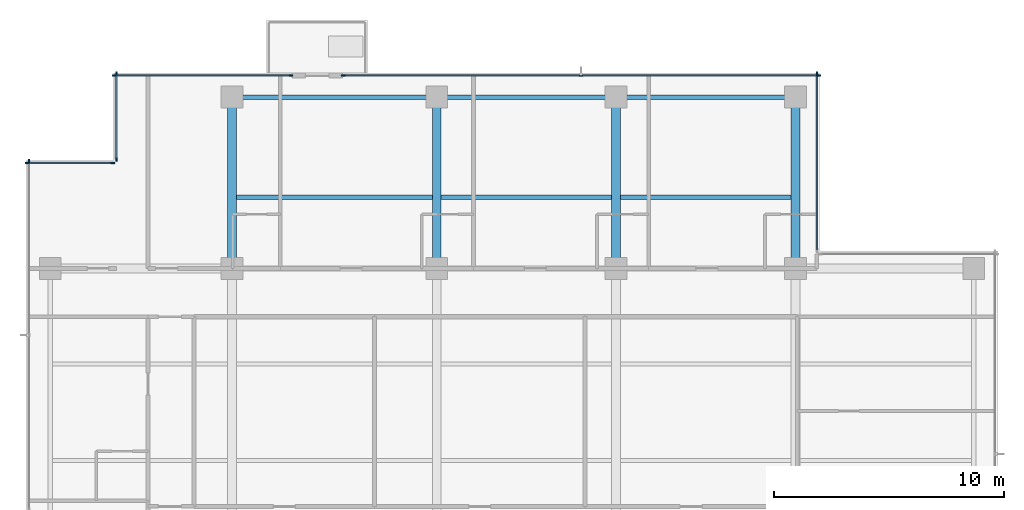
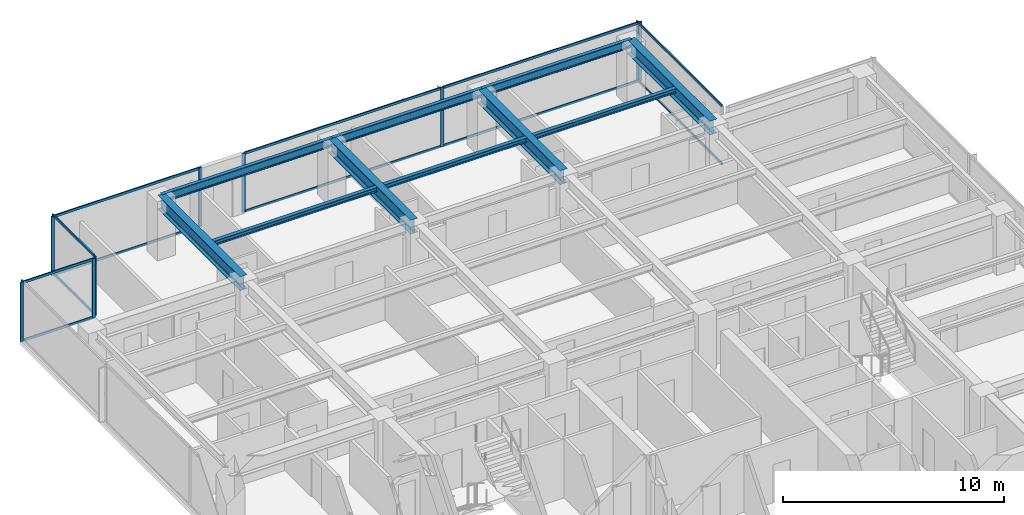
# One storey, part 5 of 14: 23 members, 10 beams, 6 elements without a shape of their own.
"""IFC4 building model written with IfcOpenShell, lengths in metres."""

from ifc_helpers import new_model, si_unit, direction, frame, origin, origin_2d, place, context, subcontext, project, spatial, rectangle, i_section, extrude, material, layer, layer_set, material_profile, profile_set, type_object, element, aggregate, save


model = new_model("IFC4")

# Units and contexts
model_context = context("Model", 3, precision=1e-05, world=origin(), true_north=direction((0.0, 1.0)))
body_context = subcontext(model_context, "Body", "Model", "MODEL_VIEW")
ifc_project = project(units=[si_unit("LENGTHUNIT", "METRE"), si_unit("AREAUNIT", "SQUARE_METRE"), si_unit("VOLUMEUNIT", "CUBIC_METRE"), si_unit("PLANEANGLEUNIT", "RADIAN"), si_unit("MASSUNIT", "GRAM", prefix="KILO")], contexts=[model_context])

# Site, building, storey
site_placement = place(None, origin())
site = spatial("IfcSite", under=ifc_project, at=site_placement, CompositionType="ELEMENT")
building_placement = place(site_placement, origin())
building = spatial("IfcBuilding", under=site, at=building_placement, Name="Qalmaran Belvedere Hotel", CompositionType="ELEMENT")
storey_placement = place(building_placement, frame((0.0, 0.0, 210.89990234375)))
storey = spatial("IfcBuildingStorey", under=building, at=storey_placement, Name="L53", CompositionType="ELEMENT", Elevation=210.89990234375)

# Beams
ifc_material_1 = material(Name="Steel S355JR", Category="steel")
ifc_material_profile_1 = material_profile(ifc_material_1, i_section(OverallWidth=0.201904296875, OverallDepth=0.2470703125, WebThickness=0.00732421875, FlangeThickness=0.010986328125, FilletRadius=0.011962890625, at=origin_2d()), Name="W250X49")
ifc_profile_set_1 = profile_set([ifc_material_profile_1], Name="Steel S355JR")
beam_type_1 = type_object("IfcBeamType", Name="BM-JST-W250X49", PredefinedType="JOIST", material=ifc_profile_set_1)
beam_1_placement = place(storey_placement, frame((20.488525390625, 36.10009765625, 3.13671875), z_axis=(1.0, 0.0, 0.0), x_axis=(0.0, 1.0, 0.0)))
element("IfcBeam", 1, at=beam_1_placement, inside=storey, type_object=beam_type_1, Name="L53 North Floor Joist 042", PredefinedType="JOIST", context=body_context, shape_type="SweptSolid", body=[
    extrude(i_section(OverallWidth=0.201904296875, OverallDepth=0.2470703125, WebThickness=0.00732421875, FlangeThickness=0.010986328125, FilletRadius=0.011962890625, at=origin_2d()), origin(), (0.0, 0.0, 1.0), 8.52294921875),
])
for number, where, z_axis, x_axis, name in (
    (2, (29.388427734375, 36.10009765625, 3.13671875), (1.0, 0.0, 0.0), (0.0, 1.0, 0.0), "L53 North Floor Joist 043"),
    (3, (37.1884765625, 36.10009765625, 3.13671875), (1.0, 0.0, 0.0), (0.0, 1.0, 0.0), "L53 North Floor Joist 044"),
):
    element("IfcBeam", number, at=place(storey_placement, frame(where, z_axis=z_axis, x_axis=x_axis)), inside=storey, type_object=beam_type_1, Name=name, PredefinedType="JOIST", context=body_context, shape_type="SweptSolid", body=[
        extrude(i_section(OverallWidth=0.201904296875, OverallDepth=0.2470703125, WebThickness=0.00732421875, FlangeThickness=0.010986328125, FilletRadius=0.011962890625, at=origin_2d()), origin(), (0.0, 0.0, 1.0), 7.423095703125),
    ])
ifc_material_profile_2 = material_profile(ifc_material_1, i_section(OverallWidth=0.381103515625, OverallDepth=0.77294921875, WebThickness=0.0166015625, FlangeThickness=0.027099609375, FilletRadius=0.02197265625, at=origin_2d()), Name="W760X257")
ifc_profile_set_2 = profile_set([ifc_material_profile_2], Name="Steel S355JR")
beam_type_2 = type_object("IfcBeamType", Name="BM-PG4-W760X257", PredefinedType="USERDEFINED", material=ifc_profile_set_2)
for number, where, z_axis, x_axis, name in (
    (4, (20.300048828125, 33.0, 2.87353515625), (0.0, 1.0, 0.0), (-1.0, 0.0, 0.0), "L53 North Bay Girder 15"),
    (5, (29.199951171875, 33.0, 2.87353515625), (0.0, 1.0, 0.0), (-1.0, 0.0, 0.0), "L53 North Bay Girder 17"),
    (6, (37.0, 33.0, 2.87353515625), (0.0, 1.0, 0.0), (-1.0, 0.0, 0.0), "L53 North Bay Girder 19"),
    (7, (44.800048828125, 33.0, 2.87353515625), (0.0, 1.0, 0.0), (-1.0, 0.0, 0.0), "L53 North Bay Girder 21"),
):
    element("IfcBeam", number, at=place(storey_placement, frame(where, z_axis=z_axis, x_axis=x_axis)), inside=storey, type_object=beam_type_2, Name=name, ObjectType="GIRDER", PredefinedType="USERDEFINED", context=body_context, shape_type="SweptSolid", body=[
        extrude(i_section(OverallWidth=0.381103515625, OverallDepth=0.77294921875, WebThickness=0.0166015625, FlangeThickness=0.027099609375, FilletRadius=0.02197265625, at=origin_2d()), origin(), (0.0, 0.0, 1.0), 7.449951171875),
    ])
ifc_material_profile_3 = material_profile(ifc_material_1, i_section(OverallWidth=0.19189453125, OverallDepth=0.462890625, WebThickness=0.010498046875, FlangeThickness=0.017578125, FilletRadius=0.01611328125, at=origin_2d()), Name="W460X89")
ifc_profile_set_3 = profile_set([ifc_material_profile_3], Name="Steel S355JR")
beam_type_3 = type_object("IfcBeamType", Name="BM-SP2-W460X89", PredefinedType="SPANDREL", material=ifc_profile_set_3)
beam_2_placement = place(storey_placement, frame((20.300048828125, 40.449951171875, 3.028564453125), z_axis=(1.0, 0.0, 0.0), x_axis=(0.0, 1.0, 0.0)))
element("IfcBeam", 8, at=beam_2_placement, inside=storey, type_object=beam_type_3, Name="L53 Perimeter Spandrel 05", PredefinedType="SPANDREL", context=body_context, shape_type="SweptSolid", body=[
    extrude(i_section(OverallWidth=0.19189453125, OverallDepth=0.462890625, WebThickness=0.010498046875, FlangeThickness=0.017578125, FilletRadius=0.01611328125, at=origin_2d()), origin(), (0.0, 0.0, 1.0), 8.89990234375),
])
for number, where, z_axis, x_axis, name in (
    (9, (29.199951171875, 40.449951171875, 3.028564453125), (1.0, 0.0, 0.0), (0.0, 1.0, 0.0), "L53 Perimeter Spandrel 06"),
    (10, (37.0, 40.449951171875, 3.028564453125), (1.0, 0.0, 0.0), (0.0, 1.0, 0.0), "L53 Perimeter Spandrel 07"),
):
    element("IfcBeam", number, at=place(storey_placement, frame(where, z_axis=z_axis, x_axis=x_axis)), inside=storey, type_object=beam_type_3, Name=name, PredefinedType="SPANDREL", context=body_context, shape_type="SweptSolid", body=[
        extrude(i_section(OverallWidth=0.19189453125, OverallDepth=0.462890625, WebThickness=0.010498046875, FlangeThickness=0.017578125, FilletRadius=0.01611328125, at=origin_2d()), origin(), (0.0, 0.0, 1.0), 7.800048828125),
    ])

# Curtain wall, member
ifc_material_2 = material(Name="Anodised Bronze Aluminium", Category="aluminium")
ifc_layer = layer(ifc_material_2, 0.18994140625, Name="Anodised Bronze Aluminium")
ifc_layer_set = layer_set([ifc_layer], Name="Anodised Bronze Aluminium")
curtain_wall_type = type_object("IfcCurtainWallType", Name="CW5-TOWER-UPPER", PredefinedType="NOTDEFINED", material=ifc_layer_set)
curtain_wall_1_placement = place(storey_placement, origin())
curtain_wall_1 = element("IfcCurtainWall", 11, at=curtain_wall_1_placement, inside=storey, type_object=curtain_wall_type, Name="L53 Curtain Wall CW5", PredefinedType="NOTDEFINED")
ifc_material_profile_4 = material_profile(ifc_material_2, rectangle(XDim=0.06494140625, YDim=0.1650390625, at=origin_2d()), Name="CWM65X165")
ifc_profile_set_4 = profile_set([ifc_material_profile_4], Name="Anodised Bronze Aluminium")
member_type_1 = type_object("IfcMemberType", Name="CWM-65X165", PredefinedType="MULLION", material=ifc_profile_set_4)
member_1_placement = place(storey_placement, frame((45.72998046875, 41.467529296875, 0.0), z_axis=(0.0, 0.0, 1.0), x_axis=(-1.0, 0.0, 0.0)))
member_1 = element("IfcMember", 12, at=member_1_placement, type_object=member_type_1, Name="CW5 mullion 2", PredefinedType="MULLION", context=body_context, shape_type="SweptSolid", body=[
    extrude(rectangle(XDim=0.06494140625, YDim=0.1650390625, at=origin_2d()), origin(), (0.0, 0.0, 1.0), 3.260009765625),
])

# Curtain wall, members
curtain_wall_2_placement = place(storey_placement, origin())
curtain_wall_2 = element("IfcCurtainWall", 13, at=curtain_wall_2_placement, inside=storey, type_object=curtain_wall_type, Name="L53 Curtain Wall CW5", PredefinedType="NOTDEFINED")
member_2_placement = place(storey_placement, frame((22.867431640625, 41.3798828125, 0.0), z_axis=(0.0, 0.0, 1.0), x_axis=(0.0, -1.0, 0.0)))
member_2 = element("IfcMember", 14, at=member_2_placement, type_object=member_type_1, Name="CW5 mullion 1", PredefinedType="MULLION", context=body_context, shape_type="SweptSolid", body=[
    extrude(rectangle(XDim=0.06494140625, YDim=0.1650390625, at=origin_2d()), origin(), (0.0, 0.0, 1.0), 3.260009765625),
])
member_3_placement = place(storey_placement, frame((15.1826171875, 41.3798828125, 0.0), z_axis=(0.0, 0.0, 1.0), x_axis=(0.0, -1.0, 0.0)))
member_3 = element("IfcMember", 15, at=member_3_placement, type_object=member_type_1, Name="CW5 mullion 2", PredefinedType="MULLION", context=body_context, shape_type="SweptSolid", body=[
    extrude(rectangle(XDim=0.06494140625, YDim=0.1650390625, at=origin_2d()), origin(), (0.0, 0.0, 1.0), 3.260009765625),
])

curtain_wall_3_placement = place(storey_placement, origin())
curtain_wall_3 = element("IfcCurtainWall", 16, at=curtain_wall_3_placement, inside=storey, type_object=curtain_wall_type, Name="L53 Curtain Wall CW5", PredefinedType="NOTDEFINED")
member_4_placement = place(storey_placement, frame((45.8173828125, 41.3798828125, 0.0), z_axis=(0.0, 0.0, 1.0), x_axis=(0.0, -1.0, 0.0)))
member_4 = element("IfcMember", 17, at=member_4_placement, type_object=member_type_1, Name="CW5 mullion 1", PredefinedType="MULLION", context=body_context, shape_type="SweptSolid", body=[
    extrude(rectangle(XDim=0.06494140625, YDim=0.1650390625, at=origin_2d()), origin(), (0.0, 0.0, 1.0), 3.260009765625),
])
member_5_placement = place(storey_placement, frame((35.47509765625, 41.3798828125, 0.0), z_axis=(0.0, 0.0, 1.0), x_axis=(0.0, -1.0, 0.0)))
member_5 = element("IfcMember", 18, at=member_5_placement, type_object=member_type_1, Name="CW5 mullion 2", PredefinedType="MULLION", context=body_context, shape_type="SweptSolid", body=[
    extrude(rectangle(XDim=0.06494140625, YDim=0.1650390625, at=origin_2d()), origin(), (0.0, 0.0, 1.0), 3.260009765625),
])
member_6_placement = place(storey_placement, frame((25.132568359375, 41.3798828125, 0.0), z_axis=(0.0, 0.0, 1.0), x_axis=(0.0, -1.0, 0.0)))
member_6 = element("IfcMember", 19, at=member_6_placement, type_object=member_type_1, Name="CW5 mullion 3", PredefinedType="MULLION", context=body_context, shape_type="SweptSolid", body=[
    extrude(rectangle(XDim=0.06494140625, YDim=0.1650390625, at=origin_2d()), origin(), (0.0, 0.0, 1.0), 3.260009765625),
])

curtain_wall_4_placement = place(storey_placement, origin())
curtain_wall_4 = element("IfcCurtainWall", 20, at=curtain_wall_4_placement, inside=storey, type_object=curtain_wall_type, Name="L53 Curtain Wall CW5", PredefinedType="NOTDEFINED")
member_7_placement = place(storey_placement, frame((15.27001953125, 41.467529296875, 0.0), z_axis=(0.0, 0.0, 1.0), x_axis=(1.0, 0.0, 0.0)))
member_7 = element("IfcMember", 21, at=member_7_placement, type_object=member_type_1, Name="CW5 mullion 1", PredefinedType="MULLION", context=body_context, shape_type="SweptSolid", body=[
    extrude(rectangle(XDim=0.06494140625, YDim=0.1650390625, at=origin_2d()), origin(), (0.0, 0.0, 1.0), 3.260009765625),
])
member_8_placement = place(storey_placement, frame((15.27001953125, 37.732421875, 0.0), z_axis=(0.0, 0.0, 1.0), x_axis=(1.0, 0.0, 0.0)))
member_8 = element("IfcMember", 22, at=member_8_placement, type_object=member_type_1, Name="CW5 mullion 2", PredefinedType="MULLION", context=body_context, shape_type="SweptSolid", body=[
    extrude(rectangle(XDim=0.06494140625, YDim=0.1650390625, at=origin_2d()), origin(), (0.0, 0.0, 1.0), 3.260009765625),
])

curtain_wall_5_placement = place(storey_placement, origin())
curtain_wall_5 = element("IfcCurtainWall", 23, at=curtain_wall_5_placement, inside=storey, type_object=curtain_wall_type, Name="L53 Curtain Wall CW5", PredefinedType="NOTDEFINED")
member_9_placement = place(storey_placement, frame((15.117431640625, 37.580078125, 0.0), z_axis=(0.0, 0.0, 1.0), x_axis=(0.0, -1.0, 0.0)))
member_9 = element("IfcMember", 24, at=member_9_placement, type_object=member_type_1, Name="CW5 mullion 1", PredefinedType="MULLION", context=body_context, shape_type="SweptSolid", body=[
    extrude(rectangle(XDim=0.06494140625, YDim=0.1650390625, at=origin_2d()), origin(), (0.0, 0.0, 1.0), 3.260009765625),
])
member_10_placement = place(storey_placement, frame((11.382568359375, 37.580078125, 0.0), z_axis=(0.0, 0.0, 1.0), x_axis=(0.0, -1.0, 0.0)))
member_10 = element("IfcMember", 25, at=member_10_placement, type_object=member_type_1, Name="CW5 mullion 2", PredefinedType="MULLION", context=body_context, shape_type="SweptSolid", body=[
    extrude(rectangle(XDim=0.06494140625, YDim=0.1650390625, at=origin_2d()), origin(), (0.0, 0.0, 1.0), 3.260009765625),
])

# Curtain wall, member
curtain_wall_6_placement = place(storey_placement, origin())
curtain_wall_6 = element("IfcCurtainWall", 26, at=curtain_wall_6_placement, inside=storey, type_object=curtain_wall_type, Name="L53 Curtain Wall CW5", PredefinedType="NOTDEFINED")
member_11_placement = place(storey_placement, frame((11.469970703125, 37.66748046875, 0.0), z_axis=(0.0, 0.0, 1.0), x_axis=(1.0, 0.0, 0.0)))
member_11 = element("IfcMember", 27, at=member_11_placement, type_object=member_type_1, Name="CW5 mullion 1", PredefinedType="MULLION", context=body_context, shape_type="SweptSolid", body=[
    extrude(rectangle(XDim=0.06494140625, YDim=0.1650390625, at=origin_2d()), origin(), (0.0, 0.0, 1.0), 3.260009765625),
])
aggregate(curtain_wall_6, [member_11])

# Member
ifc_material_profile_5 = material_profile(ifc_material_2, rectangle(XDim=0.06494140625, YDim=0.1298828125, at=origin_2d()), Name="CWT65X130")
ifc_profile_set_5 = profile_set([ifc_material_profile_5], Name="Anodised Bronze Aluminium")
member_type_2 = type_object("IfcMemberType", Name="CWT-65X130", PredefinedType="USERDEFINED", material=ifc_profile_set_5)
member_12_placement = place(storey_placement, frame((45.72998046875, 33.81494140625, 0.03271484375), z_axis=(0.0, 1.0, 0.0), x_axis=(-1.0, 0.0, 0.0)))
member_12 = element("IfcMember", 28, at=member_12_placement, type_object=member_type_2, Name="CW5 transom 1.1", ObjectType="TRANSOM", PredefinedType="USERDEFINED", context=body_context, shape_type="SweptSolid", body=[
    extrude(rectangle(XDim=0.06494140625, YDim=0.1298828125, at=origin_2d()), origin(), (0.0, 0.0, 1.0), 7.6201171875),
])

member_13_placement = place(storey_placement, frame((45.72998046875, 33.81494140625, 3.2275390625), z_axis=(0.0, 1.0, 0.0), x_axis=(-1.0, 0.0, 0.0)))
member_13 = element("IfcMember", 29, at=member_13_placement, type_object=member_type_2, Name="CW5 transom 1.2", ObjectType="TRANSOM", PredefinedType="USERDEFINED", context=body_context, shape_type="SweptSolid", body=[
    extrude(rectangle(XDim=0.06494140625, YDim=0.1298828125, at=origin_2d()), origin(), (0.0, 0.0, 1.0), 7.6201171875),
])

aggregate(curtain_wall_1, [member_1, member_12, member_13])

member_14_placement = place(storey_placement, frame((22.8349609375, 41.3798828125, 0.03271484375), z_axis=(-1.0, 0.0, 0.0), x_axis=(0.0, -1.0, 0.0)))
member_14 = element("IfcMember", 30, at=member_14_placement, type_object=member_type_2, Name="CW5 transom 1.1", ObjectType="TRANSOM", PredefinedType="USERDEFINED", context=body_context, shape_type="SweptSolid", body=[
    extrude(rectangle(XDim=0.06494140625, YDim=0.1298828125, at=origin_2d()), origin(), (0.0, 0.0, 1.0), 7.619873046875),
])

member_15_placement = place(storey_placement, frame((22.8349609375, 41.3798828125, 3.2275390625), z_axis=(-1.0, 0.0, 0.0), x_axis=(0.0, -1.0, 0.0)))
member_15 = element("IfcMember", 31, at=member_15_placement, type_object=member_type_2, Name="CW5 transom 1.2", ObjectType="TRANSOM", PredefinedType="USERDEFINED", context=body_context, shape_type="SweptSolid", body=[
    extrude(rectangle(XDim=0.06494140625, YDim=0.1298828125, at=origin_2d()), origin(), (0.0, 0.0, 1.0), 7.619873046875),
])

aggregate(curtain_wall_2, [member_2, member_3, member_14, member_15])

member_16_placement = place(storey_placement, frame((45.784912109375, 41.3798828125, 0.03271484375), z_axis=(-1.0, 0.0, 0.0), x_axis=(0.0, -1.0, 0.0)))
member_16 = element("IfcMember", 32, at=member_16_placement, type_object=member_type_2, Name="CW5 transom 1.1", ObjectType="TRANSOM", PredefinedType="USERDEFINED", context=body_context, shape_type="SweptSolid", body=[
    extrude(rectangle(XDim=0.06494140625, YDim=0.1298828125, at=origin_2d()), origin(), (0.0, 0.0, 1.0), 10.27734375),
])

member_17_placement = place(storey_placement, frame((45.784912109375, 41.3798828125, 3.2275390625), z_axis=(-1.0, 0.0, 0.0), x_axis=(0.0, -1.0, 0.0)))
member_17 = element("IfcMember", 33, at=member_17_placement, type_object=member_type_2, Name="CW5 transom 1.2", ObjectType="TRANSOM", PredefinedType="USERDEFINED", context=body_context, shape_type="SweptSolid", body=[
    extrude(rectangle(XDim=0.06494140625, YDim=0.1298828125, at=origin_2d()), origin(), (0.0, 0.0, 1.0), 10.27734375),
])

member_18_placement = place(storey_placement, frame((35.4423828125, 41.3798828125, 0.03271484375), z_axis=(-1.0, 0.0, 0.0), x_axis=(0.0, -1.0, 0.0)))
member_18 = element("IfcMember", 34, at=member_18_placement, type_object=member_type_2, Name="CW5 transom 2.1", ObjectType="TRANSOM", PredefinedType="USERDEFINED", context=body_context, shape_type="SweptSolid", body=[
    extrude(rectangle(XDim=0.06494140625, YDim=0.1298828125, at=origin_2d()), origin(), (0.0, 0.0, 1.0), 10.27734375),
])

member_19_placement = place(storey_placement, frame((35.4423828125, 41.3798828125, 3.2275390625), z_axis=(-1.0, 0.0, 0.0), x_axis=(0.0, -1.0, 0.0)))
member_19 = element("IfcMember", 35, at=member_19_placement, type_object=member_type_2, Name="CW5 transom 2.2", ObjectType="TRANSOM", PredefinedType="USERDEFINED", context=body_context, shape_type="SweptSolid", body=[
    extrude(rectangle(XDim=0.06494140625, YDim=0.1298828125, at=origin_2d()), origin(), (0.0, 0.0, 1.0), 10.27734375),
])

aggregate(curtain_wall_3, [member_4, member_5, member_6, member_16, member_17, member_18, member_19])

member_20_placement = place(storey_placement, frame((15.27001953125, 41.43505859375, 0.03271484375), z_axis=(0.0, -1.0, 0.0), x_axis=(1.0, 0.0, 0.0)))
member_20 = element("IfcMember", 36, at=member_20_placement, type_object=member_type_2, Name="CW5 transom 1.1", ObjectType="TRANSOM", PredefinedType="USERDEFINED", context=body_context, shape_type="SweptSolid", body=[
    extrude(rectangle(XDim=0.06494140625, YDim=0.1298828125, at=origin_2d()), origin(), (0.0, 0.0, 1.0), 3.670166015625),
])

member_21_placement = place(storey_placement, frame((15.27001953125, 41.43505859375, 3.2275390625), z_axis=(0.0, -1.0, 0.0), x_axis=(1.0, 0.0, 0.0)))
member_21 = element("IfcMember", 37, at=member_21_placement, type_object=member_type_2, Name="CW5 transom 1.2", ObjectType="TRANSOM", PredefinedType="USERDEFINED", context=body_context, shape_type="SweptSolid", body=[
    extrude(rectangle(XDim=0.06494140625, YDim=0.1298828125, at=origin_2d()), origin(), (0.0, 0.0, 1.0), 3.670166015625),
])

aggregate(curtain_wall_4, [member_7, member_8, member_20, member_21])

member_22_placement = place(storey_placement, frame((15.0849609375, 37.580078125, 0.03271484375), z_axis=(-1.0, 0.0, 0.0), x_axis=(0.0, -1.0, 0.0)))
member_22 = element("IfcMember", 38, at=member_22_placement, type_object=member_type_2, Name="CW5 transom 1.1", ObjectType="TRANSOM", PredefinedType="USERDEFINED", context=body_context, shape_type="SweptSolid", body=[
    extrude(rectangle(XDim=0.06494140625, YDim=0.1298828125, at=origin_2d()), origin(), (0.0, 0.0, 1.0), 3.669921875),
])

member_23_placement = place(storey_placement, frame((15.0849609375, 37.580078125, 3.2275390625), z_axis=(-1.0, 0.0, 0.0), x_axis=(0.0, -1.0, 0.0)))
member_23 = element("IfcMember", 39, at=member_23_placement, type_object=member_type_2, Name="CW5 transom 1.2", ObjectType="TRANSOM", PredefinedType="USERDEFINED", context=body_context, shape_type="SweptSolid", body=[
    extrude(rectangle(XDim=0.06494140625, YDim=0.1298828125, at=origin_2d()), origin(), (0.0, 0.0, 1.0), 3.669921875),
])

aggregate(curtain_wall_5, [member_9, member_10, member_22, member_23])

save(model, "model.ifc")
